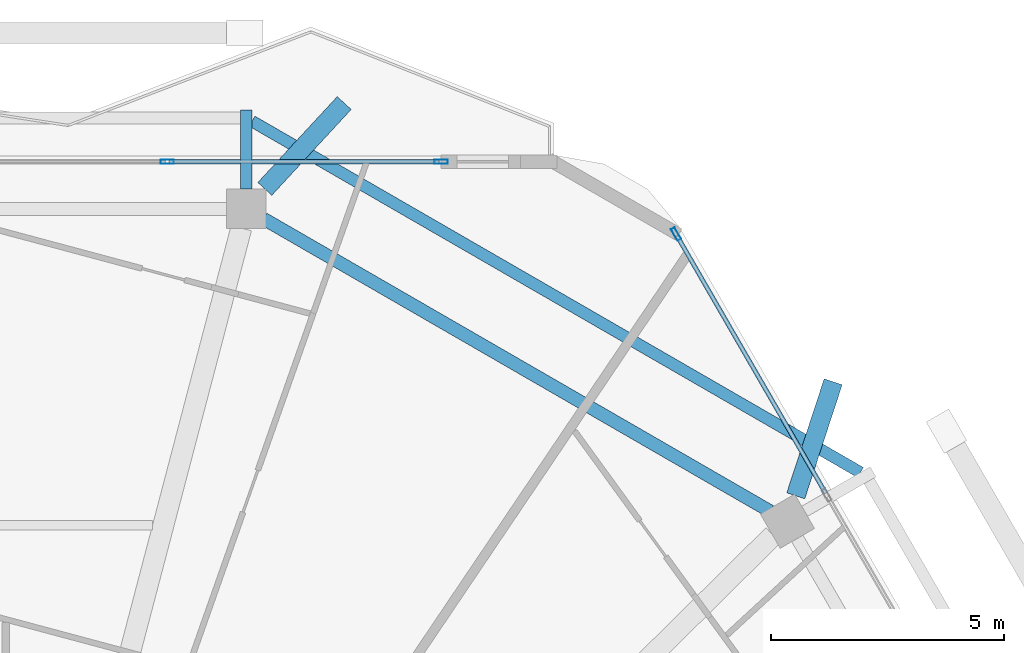
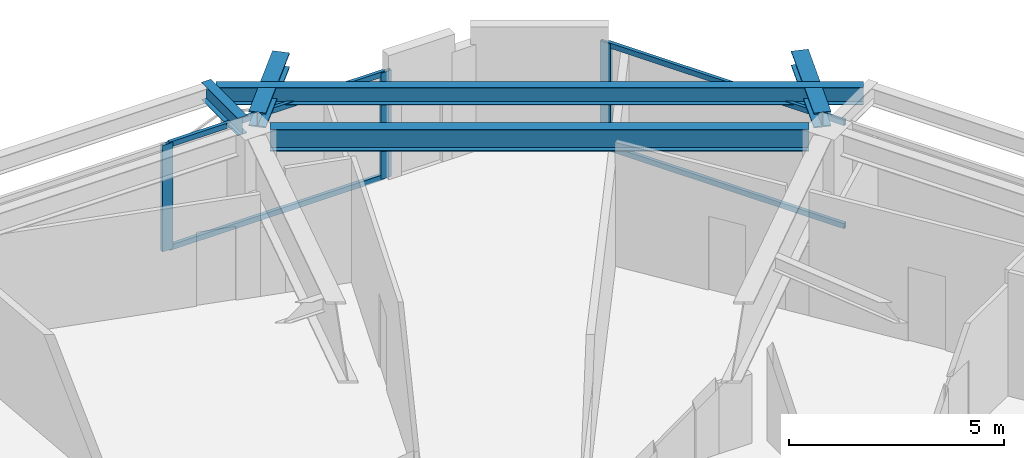
# One storey, part 17 of 26: 7 members, 5 beams, 2 elements without a shape of their own.
"""IFC4 building model written with IfcOpenShell, lengths in metres."""

from ifc_helpers import new_model, si_unit, direction, frame, origin, origin_2d, place, context, subcontext, project, spatial, hollow_rectangle, i_section, extrude, material, material_profile, profile_set, type_object, element, aggregate, save


model = new_model("IFC4")

# Units and contexts
model_context = context("Model", 3, precision=1e-05, world=origin(), true_north=direction((0.0, 1.0)))
body_context = subcontext(model_context, "Body", "Model", "MODEL_VIEW")
ifc_project = project(units=[si_unit("LENGTHUNIT", "METRE"), si_unit("AREAUNIT", "SQUARE_METRE"), si_unit("VOLUMEUNIT", "CUBIC_METRE"), si_unit("PLANEANGLEUNIT", "RADIAN"), si_unit("MASSUNIT", "GRAM", prefix="KILO")], contexts=[model_context])

# Site, building, storey
site_placement = place(None, origin())
site = spatial("IfcSite", under=ifc_project, at=site_placement, CompositionType="ELEMENT")
building_placement = place(site_placement, origin())
building = spatial("IfcBuilding", under=site, at=building_placement, Name="Zuhravey Tower", CompositionType="ELEMENT")
storey_placement = place(building_placement, frame((0.0, 0.0, 299.60009765625)))
storey = spatial("IfcBuildingStorey", under=building, at=storey_placement, Name="L76", CompositionType="ELEMENT", Elevation=299.60009765625)

# Curtain wall, members
ifc_material_1 = material(Name="Thermally broken anodised aluminium", Category="aluminium")
curtain_wall_type = type_object("IfcCurtainWallType", Name="Zone 3-4 High-Rise Curtain Wall CW4", PredefinedType="NOTDEFINED", material=ifc_material_1)
curtain_wall_1_placement = place(storey_placement, origin())
curtain_wall_1 = element("IfcCurtainWall", 1, at=curtain_wall_1_placement, inside=storey, type_object=curtain_wall_type, Name="L76 CW4 CW-L76-F2-1", PredefinedType="NOTDEFINED")
ifc_material_2 = material(Name="Anodised aluminium", Category="aluminium")
ifc_material_profile_1 = material_profile(ifc_material_2, hollow_rectangle(XDim=0.090087890625, YDim=0.284912109375, WallThickness=0.0048828125, at=origin_2d()), Name="ALU-RHS-90x285x5")
ifc_profile_set_1 = profile_set([ifc_material_profile_1], Name="Anodised aluminium")
member_type_1 = type_object("IfcMemberType", Name="Curtain-Wall Mullion 90x180", PredefinedType="MULLION", material=ifc_profile_set_1)
member_1_placement = place(storey_placement, frame((40.743896484375, 57.563720703125, 0.0), z_axis=(0.0, 0.0, 1.0), x_axis=(0.0, 1.0, 0.0)))
member_1 = element("IfcMember", 2, at=member_1_placement, type_object=member_type_1, Name="CW4 mullion 4", PredefinedType="MULLION", context=body_context, shape_type="SweptSolid", body=[
    extrude(hollow_rectangle(XDim=0.090087890625, YDim=0.284912109375, WallThickness=0.0048828125, at=origin_2d()), origin(), (0.0, 0.0, 1.0), 3.02001953125),
])
member_2_placement = place(storey_placement, frame((46.61767578125, 57.563720703125, 0.0), z_axis=(0.0, 0.0, 1.0), x_axis=(0.0, 1.0, 0.0)))
member_2 = element("IfcMember", 3, at=member_2_placement, type_object=member_type_1, Name="CW4 mullion 5", PredefinedType="MULLION", context=body_context, shape_type="SweptSolid", body=[
    extrude(hollow_rectangle(XDim=0.090087890625, YDim=0.284912109375, WallThickness=0.0048828125, at=origin_2d()), origin(), (0.0, 0.0, 1.0), 3.02001953125),
])

# Curtain wall, member
curtain_wall_2_placement = place(storey_placement, origin())
curtain_wall_2 = element("IfcCurtainWall", 4, at=curtain_wall_2_placement, inside=storey, type_object=curtain_wall_type, Name="L76 CW4 CW-L76-F1-1", PredefinedType="NOTDEFINED")
member_3_placement = place(storey_placement, frame((51.65478515625, 56.01220703125, 0.0), z_axis=(0.0, 0.0, 1.0), x_axis=(0.866024851021, 0.500000957414, 0.0)))
member_3 = element("IfcMember", 5, at=member_3_placement, type_object=member_type_1, Name="CW4 mullion 1", PredefinedType="MULLION", context=body_context, shape_type="SweptSolid", body=[
    extrude(hollow_rectangle(XDim=0.090087890625, YDim=0.284912109375, WallThickness=0.0048828125, at=origin_2d()), origin(), (0.0, 0.0, 1.0), 3.02001953125),
])

# Member
ifc_material_profile_2 = material_profile(ifc_material_2, hollow_rectangle(XDim=0.090087890625, YDim=0.14990234375, WallThickness=0.0048828125, at=origin_2d()), Name="ALU-RHS-90x150x5")
ifc_profile_set_2 = profile_set([ifc_material_profile_2], Name="Anodised aluminium")
member_type_2 = type_object("IfcMemberType", Name="Curtain-Wall Transom 90x150", PredefinedType="USERDEFINED", material=ifc_profile_set_2)
member_4_placement = place(storey_placement, frame((40.788818359375, 57.563720703125, 0.044921875), z_axis=(1.0, 0.0, 0.0), x_axis=(0.0, 1.0, 0.0)))
member_4 = element("IfcMember", 6, at=member_4_placement, type_object=member_type_2, Name="CW4 transom 4.1", ObjectType="TRANSOM", PredefinedType="USERDEFINED", context=body_context, shape_type="SweptSolid", body=[
    extrude(hollow_rectangle(XDim=0.090087890625, YDim=0.14990234375, WallThickness=0.0048828125, at=origin_2d()), origin(), (0.0, 0.0, 1.0), 5.783935546875),
])

member_5_placement = place(storey_placement, frame((40.788818359375, 57.563720703125, 2.974853515625), z_axis=(1.0, 0.0, 0.0), x_axis=(0.0, 1.0, 0.0)))
member_5 = element("IfcMember", 7, at=member_5_placement, type_object=member_type_2, Name="CW4 transom 4.2", ObjectType="TRANSOM", PredefinedType="USERDEFINED", context=body_context, shape_type="SweptSolid", body=[
    extrude(hollow_rectangle(XDim=0.090087890625, YDim=0.14990234375, WallThickness=0.0048828125, at=origin_2d()), origin(), (0.0, 0.0, 1.0), 5.783935546875),
])

aggregate(curtain_wall_1, [member_1, member_2, member_4, member_5])

member_6_placement = place(storey_placement, frame((51.677490234375, 55.97314453125, 0.044921875), z_axis=(0.499980071345, -0.866036909293, 0.0), x_axis=(0.866036909293, 0.499980071345, 0.0)))
member_6 = element("IfcMember", 8, at=member_6_placement, type_object=member_type_2, Name="CW4 transom 1.1", ObjectType="TRANSOM", PredefinedType="USERDEFINED", context=body_context, shape_type="SweptSolid", body=[
    extrude(hollow_rectangle(XDim=0.090087890625, YDim=0.14990234375, WallThickness=0.0048828125, at=origin_2d()), origin(), (0.0, 0.0, 1.0), 6.371337890625),
])

member_7_placement = place(storey_placement, frame((51.677490234375, 55.97314453125, 2.974853515625), z_axis=(0.499980071345, -0.866036909293, 0.0), x_axis=(0.866036909293, 0.499980071345, 0.0)))
member_7 = element("IfcMember", 9, at=member_7_placement, type_object=member_type_2, Name="CW4 transom 1.2", ObjectType="TRANSOM", PredefinedType="USERDEFINED", context=body_context, shape_type="SweptSolid", body=[
    extrude(hollow_rectangle(XDim=0.090087890625, YDim=0.14990234375, WallThickness=0.0048828125, at=origin_2d()), origin(), (0.0, 0.0, 1.0), 6.371337890625),
])

aggregate(curtain_wall_2, [member_3, member_6, member_7])

# Beams
ifc_material_3 = material(Name="Steel SM460", Category="steel")
ifc_material_profile_3 = material_profile(ifc_material_3, i_section(OverallWidth=0.406982421875, OverallDepth=0.427978515625, WebThickness=0.02001953125, FlangeThickness=0.034912109375, at=origin_2d()), Name="H-428x407x20x35")
ifc_profile_set_3 = profile_set([ifc_material_profile_3], Name="Steel SM460")
beam_type_1 = type_object("IfcBeamType", Name="Exoskeleton Node Tie Beam H428x407", PredefinedType="BEAM", material=ifc_profile_set_3)
beam_1_placement = place(storey_placement, frame((54.22265625, 50.400390625, 3.305908203125), z_axis=(0.311724891649, 0.95017240116, 0.0), x_axis=(-0.95017240116, 0.311724891649, 0.0)))
element("IfcBeam", 10, at=beam_1_placement, inside=storey, type_object=beam_type_1, Name="L76 Exoskeleton Node Tie NT1-02", PredefinedType="BEAM", context=body_context, shape_type="SweptSolid", body=[
    extrude(i_section(OverallWidth=0.406982421875, OverallDepth=0.427978515625, WebThickness=0.02001953125, FlangeThickness=0.034912109375, at=origin_2d()), origin(), (0.0, 0.0, 1.0), 2.572021484375),
])
beam_2_placement = place(storey_placement, frame((42.836669921875, 56.9814453125, 3.305908203125), z_axis=(0.678870161951, 0.734258335474, 0.0), x_axis=(-0.734258335474, 0.678870161951, 0.0)))
element("IfcBeam", 11, at=beam_2_placement, inside=storey, type_object=beam_type_1, Name="L76 Exoskeleton Node Tie NT1-03", PredefinedType="BEAM", context=body_context, shape_type="SweptSolid", body=[
    extrude(i_section(OverallWidth=0.406982421875, OverallDepth=0.427978515625, WebThickness=0.02001953125, FlangeThickness=0.034912109375, at=origin_2d()), origin(), (0.0, 0.0, 1.0), 2.508056640625),
])
ifc_material_4 = material(Name="Steel SM355", Category="steel")
ifc_material_profile_4 = material_profile(ifc_material_4, i_section(OverallWidth=0.280029296875, OverallDepth=0.6201171875, WebThickness=0.011962890625, FlangeThickness=0.02001953125, at=origin_2d()), Name="H-620x280x12x20")
ifc_profile_set_4 = profile_set([ifc_material_profile_4], Name="Steel SM355")
beam_type_2 = type_object("IfcBeamType", Name="Perimeter Ring Beam H620x280", PredefinedType="BEAM", material=ifc_profile_set_4)
beam_3_placement = place(storey_placement, frame((53.6728515625, 50.068603515625, 3.2099609375), z_axis=(-0.866018312875, 0.500012281615, 0.0), x_axis=(-0.500012281615, -0.866018312875, 0.0)))
element("IfcBeam", 12, at=beam_3_placement, inside=storey, type_object=beam_type_2, Name="L76 PB3 BM-L76-PB-02", PredefinedType="BEAM", context=body_context, shape_type="SweptSolid", body=[
    extrude(i_section(OverallWidth=0.280029296875, OverallDepth=0.6201171875, WebThickness=0.011962890625, FlangeThickness=0.02001953125, at=origin_2d()), origin(), (0.0, 0.0, 1.0), 12.541748046875),
])
ifc_material_profile_5 = material_profile(ifc_material_4, i_section(OverallWidth=0.25, OverallDepth=0.5, WebThickness=0.010009765625, FlangeThickness=0.01611328125, at=origin_2d()), Name="H-500x250x10x16")
ifc_profile_set_5 = profile_set([ifc_material_profile_5], Name="Steel SM355")
beam_type_3 = type_object("IfcBeamType", Name="Tray Cantilever Spandrel H500x250", PredefinedType="SPANDREL", material=ifc_profile_set_5)
beam_4_placement = place(storey_placement, frame((42.44091796875, 56.982666015625, 3.27001953125), z_axis=(0.0, 1.0, 0.0), x_axis=(-1.0, 0.0, 0.0)))
element("IfcBeam", 13, at=beam_4_placement, inside=storey, type_object=beam_type_3, Name="L76 Sky-Tray Cantilever Arm TSB1-R03", PredefinedType="SPANDREL", context=body_context, shape_type="SweptSolid", body=[
    extrude(i_section(OverallWidth=0.25, OverallDepth=0.5, WebThickness=0.010009765625, FlangeThickness=0.01611328125, at=origin_2d()), origin(), (0.0, 0.0, 1.0), 1.69091796875),
])
beam_5_placement = place(storey_placement, frame((55.611083984375, 50.899658203125, 3.27001953125), z_axis=(-0.866019911426, 0.500009512923, 0.0), x_axis=(-0.500009512923, -0.866019911426, 0.0)))
element("IfcBeam", 14, at=beam_5_placement, inside=storey, type_object=beam_type_3, Name="L76 Sky-Tray Edge Spandrel TSB1-02", PredefinedType="SPANDREL", context=body_context, shape_type="SweptSolid", body=[
    extrude(i_section(OverallWidth=0.25, OverallDepth=0.5, WebThickness=0.010009765625, FlangeThickness=0.01611328125, at=origin_2d()), origin(), (0.0, 0.0, 1.0), 15.067626953125),
])

save(model, "model.ifc")
